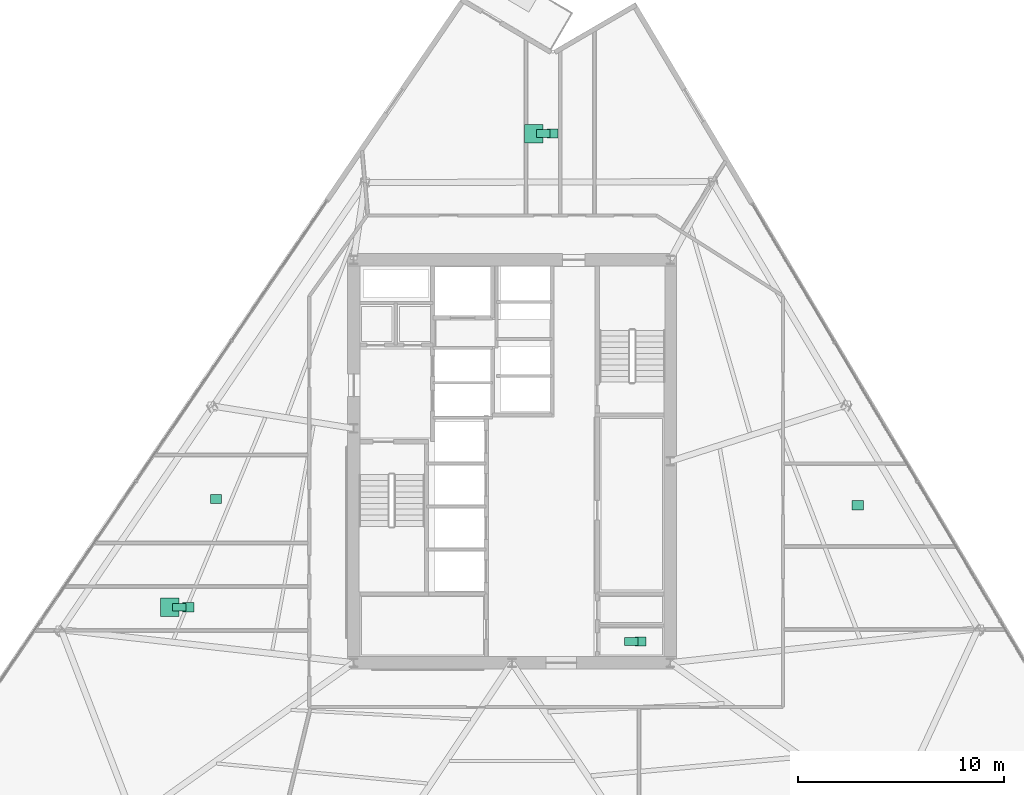
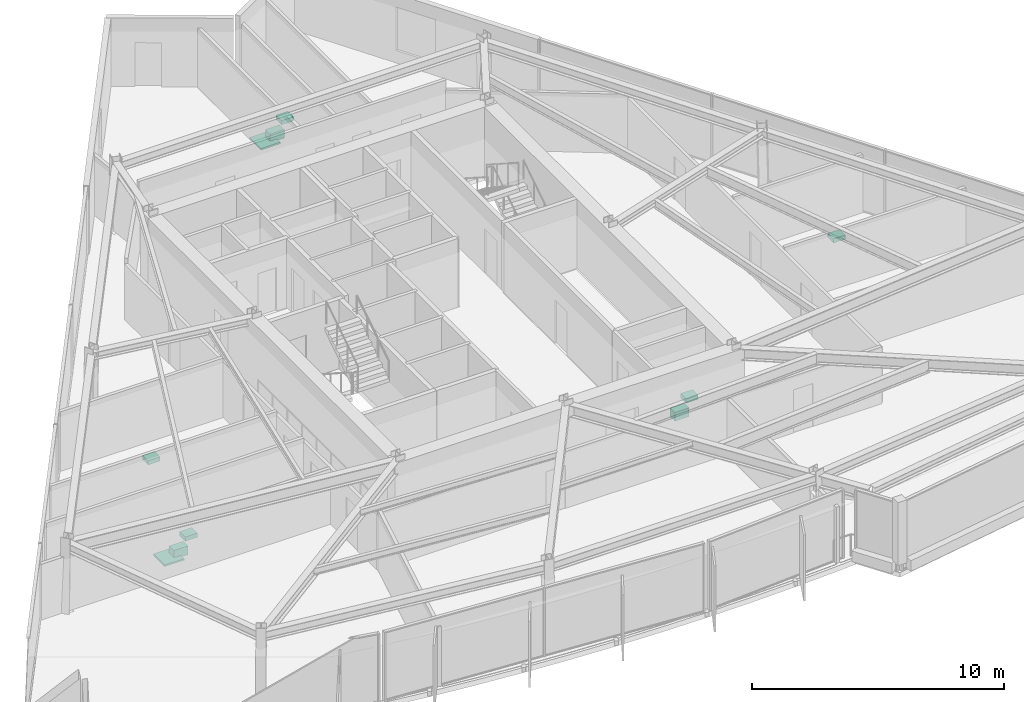
# One storey, part 15 of 15: 10 sanitary terminals.
"""IFC4 building model written with IfcOpenShell, lengths in metres."""

from ifc_helpers import new_model, si_unit, direction, frame, origin, origin_2d, place, context, subcontext, project, spatial, rectangle, extrude, material, type_object, element, save


model = new_model("IFC4")

# Units and contexts
model_context = context("Model", 3, precision=1e-05, world=origin(), true_north=direction((0.0, 1.0)))
body_context = subcontext(model_context, "Body", "Model", "MODEL_VIEW")
ifc_project = project(units=[si_unit("LENGTHUNIT", "METRE"), si_unit("AREAUNIT", "SQUARE_METRE"), si_unit("VOLUMEUNIT", "CUBIC_METRE"), si_unit("PLANEANGLEUNIT", "RADIAN"), si_unit("MASSUNIT", "GRAM", prefix="KILO")], contexts=[model_context])

# Site, building, storey
site_placement = place(None, origin())
site = spatial("IfcSite", under=ifc_project, at=site_placement, CompositionType="ELEMENT")
building_placement = place(site_placement, origin())
building = spatial("IfcBuilding", under=site, at=building_placement, Name="Savorim Split Tower", CompositionType="ELEMENT")
storey_placement = place(building_placement, frame((0.0, 0.0, 122.10009765625)))
storey = spatial("IfcBuildingStorey", under=building, at=storey_placement, Name="L32", CompositionType="ELEMENT", Elevation=122.10009765625)

# Sanitary terminals
ifc_material = material(Name="Vitreous China Sanitaryware")
sanitary_terminal_type_1 = type_object("IfcSanitaryTerminalType", Name="SAN-SHW-900", PredefinedType="SHOWER", material=ifc_material)
for number, where, z_axis, x_axis, name in (
    (1, (-16.640625, -6.70361328125, -0.000244140625), (0.0, 0.0, 1.0), (1.0, 0.0, 0.0), "L32 Shared Bathroom Shower"),
    (2, (1.070556640625, 16.337158203125, -0.000244140625), (0.0, 0.0, 1.0), (1.0, 0.0, 0.0), "L32 Shared Bathroom Shower"),
):
    element("IfcSanitaryTerminal", number, at=place(storey_placement, frame(where, z_axis=z_axis, x_axis=x_axis)), inside=storey, type_object=sanitary_terminal_type_1, Name=name, PredefinedType="SHOWER", context=body_context, shape_type="SweptSolid", body=[
        extrude(rectangle(XDim=0.89990234375, YDim=0.89990234375, at=origin_2d()), origin(), (0.0, 0.0, 1.0), 0.080078125),
    ])
sanitary_terminal_type_2 = type_object("IfcSanitaryTerminalType", Name="SAN-WC-PAN", PredefinedType="TOILETPAN", material=ifc_material)
for number, where, z_axis, x_axis, name in (
    (3, (5.800048828125, -8.3701171875, 0.0), (0.0, 0.0, 1.0), (1.0, 0.0, 0.0), "L32 Accessible WC WC Pan"),
    (4, (-16.190673828125, -6.70361328125, 0.0), (0.0, 0.0, 1.0), (1.0, 0.0, 0.0), "L32 Shared Bathroom WC Pan"),
    (5, (1.5205078125, 16.337158203125, 0.0), (0.0, 0.0, 1.0), (1.0, 0.0, 0.0), "L32 Shared Bathroom WC Pan"),
):
    element("IfcSanitaryTerminal", number, at=place(storey_placement, frame(where, z_axis=z_axis, x_axis=x_axis)), inside=storey, type_object=sanitary_terminal_type_2, Name=name, PredefinedType="TOILETPAN", context=body_context, shape_type="SweptSolid", body=[
        extrude(rectangle(XDim=0.64990234375, YDim=0.3798828125, at=origin_2d()), origin(), (0.0, 0.0, 1.0), 0.419921875),
    ])
sanitary_terminal_type_3 = type_object("IfcSanitaryTerminalType", Name="SAN-WHB-550", PredefinedType="WASHHANDBASIN", material=ifc_material)
for number, where, z_axis, x_axis, name in (
    (6, (6.25, -8.3701171875, 0.7197265625), (0.0, 0.0, 1.0), (1.0, 0.0, 0.0), "L32 Accessible WC Washhand Basin"),
    (7, (-14.398681640625, -1.4345703125, 0.75), (0.0, 0.0, 1.0), (1.0, 0.0, 0.0), "L32 Shared Kitchen Utility Sink"),
    (8, (-15.74072265625, -6.70361328125, 0.7197265625), (0.0, 0.0, 1.0), (1.0, 0.0, 0.0), "L32 Shared Bathroom Washhand Basin"),
    (9, (16.822509765625, -1.73486328125, 0.75), (0.0, 0.0, 1.0), (1.0, 0.0, 0.0), "L32 Community Laundry Room Utility Sink"),
    (10, (1.970703125, 16.337158203125, 0.7197265625), (0.0, 0.0, 1.0), (1.0, 0.0, 0.0), "L32 Shared Bathroom Washhand Basin"),
):
    element("IfcSanitaryTerminal", number, at=place(storey_placement, frame(where, z_axis=z_axis, x_axis=x_axis)), inside=storey, type_object=sanitary_terminal_type_3, Name=name, PredefinedType="WASHHANDBASIN", context=body_context, shape_type="SweptSolid", body=[
        extrude(rectangle(XDim=0.550048828125, YDim=0.449951171875, at=origin_2d()), origin(), (0.0, 0.0, 1.0), 0.199951171875),
    ])

save(model, "model.ifc")
